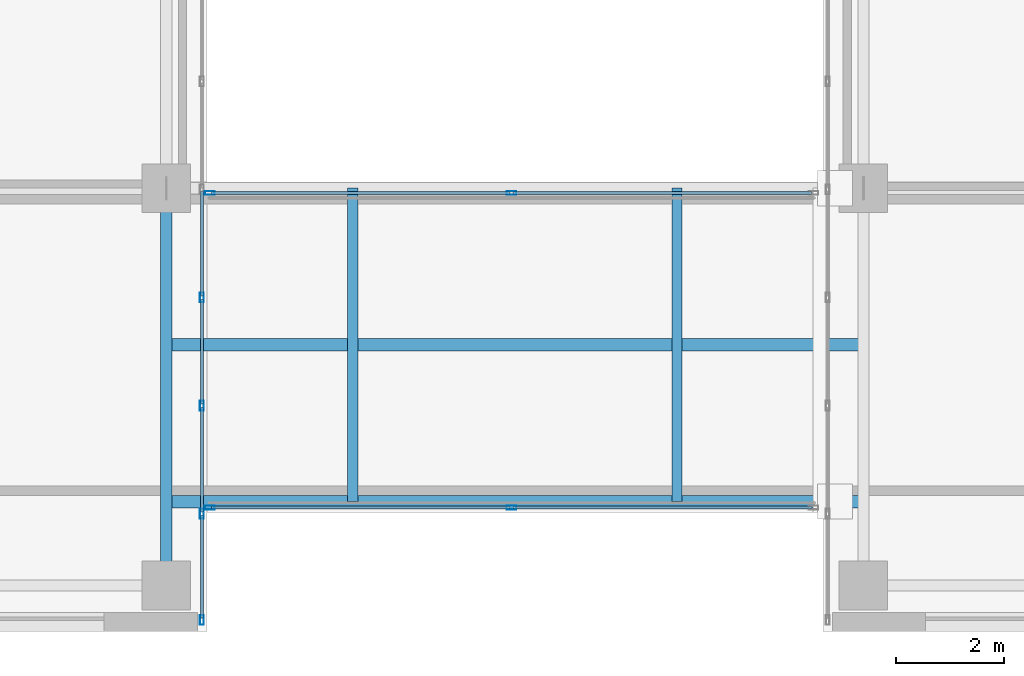
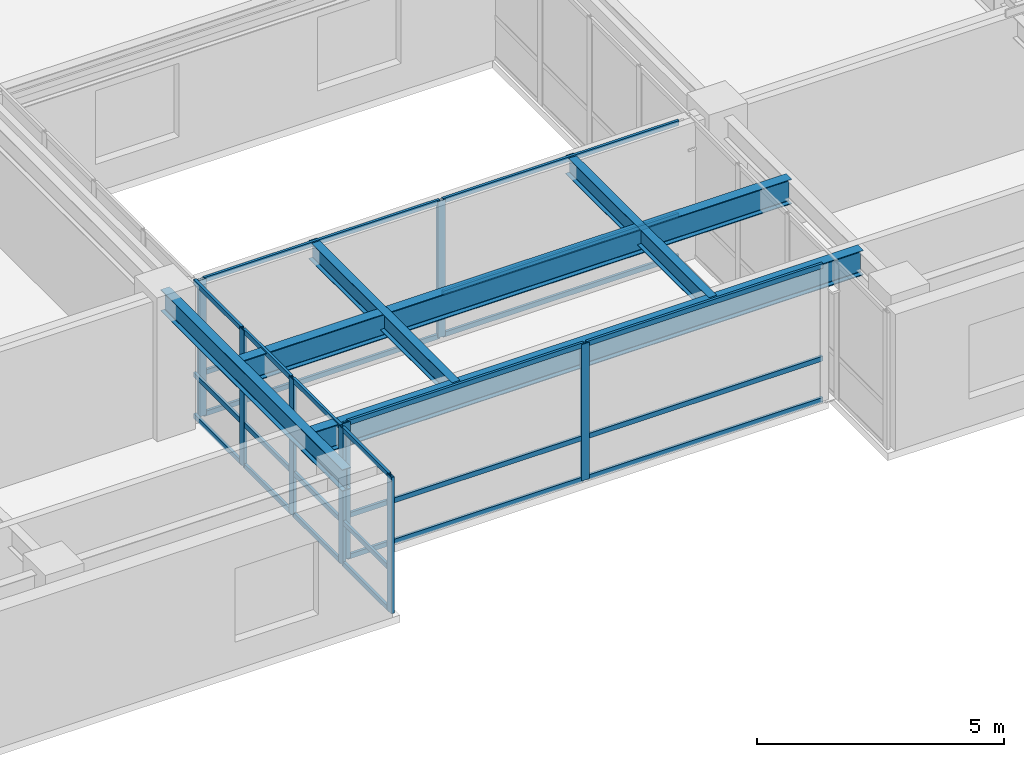
# One storey, part 2 of 25: 32 members, 5 beams, 3 elements without a shape of their own.
"""IFC4 building model written with IfcOpenShell, lengths in metres."""

from ifc_helpers import new_model, si_unit, direction, frame, origin, origin_2d, place, context, subcontext, project, spatial, hollow_rectangle, i_section, extrude, source, transform, mapped, material, layer, layer_set, material_profile, profile_set, type_object, type_shapes, element, aggregate, save


model = new_model("IFC4")

# Units and contexts
model_context = context("Model", 3, precision=1e-05, world=origin(), true_north=direction((0.0, 1.0)))
body_context = subcontext(model_context, "Body", "Model", "MODEL_VIEW")
ifc_project = project(units=[si_unit("LENGTHUNIT", "METRE"), si_unit("AREAUNIT", "SQUARE_METRE"), si_unit("VOLUMEUNIT", "CUBIC_METRE"), si_unit("PLANEANGLEUNIT", "RADIAN"), si_unit("MASSUNIT", "GRAM", prefix="KILO")], contexts=[model_context])

# Site, building, storey
site_placement = place(None, origin())
site = spatial("IfcSite", under=ifc_project, at=site_placement, CompositionType="ELEMENT")
building_placement = place(site_placement, origin())
building = spatial("IfcBuilding", under=site, at=building_placement, Name="Tolvann Quenvar Hotel", CompositionType="ELEMENT")
storey_placement = place(building_placement, frame((0.0, 0.0, 122.199951171875)))
storey = spatial("IfcBuildingStorey", under=building, at=storey_placement, Name="L31", CompositionType="ELEMENT", Elevation=122.199951171875)

# Beams
ifc_material_1 = material(Name="Steel Grade 350", Category="steel")
ifc_material_profile_1 = material_profile(ifc_material_1, i_section(OverallWidth=0.22900390625, OverallDepth=0.612060546875, WebThickness=0.011962890625, FlangeThickness=0.01953125, FilletRadius=0.013916015625, at=origin_2d()), Name="610UB125")
ifc_profile_set_1 = profile_set([ifc_material_profile_1], Name="Steel Grade 350")
beam_type_1 = type_object("IfcBeamType", Name="BM_GIRD_610UB125", PredefinedType="BEAM", material=ifc_profile_set_1)
shared_shape_1 = source(origin(), body_context, "Body", "SweptSolid", [
    extrude(i_section(OverallWidth=0.22900390625, OverallDepth=0.612060546875, WebThickness=0.011962890625, FlangeThickness=0.01953125, FilletRadius=0.013916015625, at=origin_2d()), origin(), (0.0, 0.0, 1.0), 12.89990234375),
])
type_shapes(beam_type_1, [shared_shape_1])
for number, where, z_axis, x_axis, name in (
    (1, (22.050048828125, 2.39990234375, 3.06396484375), (1.0, 0.0, 0.0), (0.0, 1.0, 0.0), "Skybridge Longitudinal Support Girder (L32-S)"),
    (2, (22.050048828125, 5.300048828125, 3.06396484375), (1.0, 0.0, 0.0), (0.0, 1.0, 0.0), "Skybridge Central Support Girder (L32-M)"),
):
    element("IfcBeam", number, at=place(storey_placement, frame(where, z_axis=z_axis, x_axis=x_axis)), inside=storey, type_object=beam_type_1, Name=name, PredefinedType="BEAM", context=body_context, shape_type="MappedRepresentation", body=[
        mapped(shared_shape_1, transform((0.0, 0.0, 0.0), x_axis=(1.0, 0.0, 0.0), y_axis=(0.0, 1.0, 0.0), z_axis=(0.0, 0.0, 1.0), scale=1.0)),
    ])
ifc_material_profile_2 = material_profile(ifc_material_1, i_section(OverallWidth=0.208984375, OverallDepth=0.532958984375, WebThickness=0.01025390625, FlangeThickness=0.015625, FilletRadius=0.013916015625, at=origin_2d()), Name="530UB92")
ifc_profile_set_2 = profile_set([ifc_material_profile_2], Name="Steel Grade 350")
beam_type_2 = type_object("IfcBeamType", Name="BM_GIRD_530UB92", PredefinedType="BEAM", material=ifc_profile_set_2)
shared_shape_2 = source(origin(), body_context, "Body", "SweptSolid", [
    extrude(i_section(OverallWidth=0.208984375, OverallDepth=0.532958984375, WebThickness=0.01025390625, FlangeThickness=0.015625, FilletRadius=0.013916015625, at=origin_2d()), origin(), (0.0, 0.0, 1.0), 7.349853515625),
])
type_shapes(beam_type_2, [shared_shape_2])
beam_placement = place(storey_placement, frame((22.050048828125, 0.85009765625, 3.103515625), z_axis=(0.0, 1.0, 0.0), x_axis=(-1.0, 0.0, 0.0)))
element("IfcBeam", 3, at=beam_placement, inside=storey, type_object=beam_type_2, Name="BM-L31-NS-E2-E3", PredefinedType="BEAM", context=body_context, shape_type="MappedRepresentation", body=[
    mapped(shared_shape_2, transform((0.0, 0.0, 0.0), x_axis=(1.0, 0.0, 0.0), y_axis=(0.0, 1.0, 0.0), z_axis=(0.0, 0.0, 1.0), scale=1.0)),
])
ifc_material_profile_3 = material_profile(ifc_material_1, i_section(OverallWidth=0.18994140625, OverallDepth=0.4541015625, WebThickness=0.008544921875, FlangeThickness=0.0126953125, FilletRadius=0.011474609375, at=origin_2d()), Name="460UB67")
ifc_profile_set_3 = profile_set([ifc_material_profile_3], Name="Steel Grade 350")
beam_type_3 = type_object("IfcBeamType", Name="BM_JOIST_460UB67", PredefinedType="JOIST", material=ifc_profile_set_3)
shared_shape_3 = source(origin(), body_context, "Body", "SweptSolid", [
    extrude(i_section(OverallWidth=0.18994140625, OverallDepth=0.4541015625, WebThickness=0.008544921875, FlangeThickness=0.0126953125, FilletRadius=0.011474609375, at=origin_2d()), origin(), (0.0, 0.0, 1.0), 5.800048828125),
])
type_shapes(beam_type_3, [shared_shape_3])
for number, where, z_axis, x_axis, name in (
    (4, (25.5, 2.39990234375, 3.14306640625), (0.0, 1.0, 0.0), (-1.0, 0.0, 0.0), "Skybridge Transverse Diaphragm Beam W (L32)"),
    (5, (31.5, 2.39990234375, 3.14306640625), (0.0, 1.0, 0.0), (-1.0, 0.0, 0.0), "Skybridge Transverse Diaphragm Beam E (L32)"),
):
    element("IfcBeam", number, at=place(storey_placement, frame(where, z_axis=z_axis, x_axis=x_axis)), inside=storey, type_object=beam_type_3, Name=name, PredefinedType="JOIST", context=body_context, shape_type="MappedRepresentation", body=[
        mapped(shared_shape_3, transform((0.0, 0.0, 0.0), x_axis=(1.0, 0.0, 0.0), y_axis=(0.0, 1.0, 0.0), z_axis=(0.0, 0.0, 1.0), scale=1.0)),
    ])

# Curtain wall, members
ifc_material_2 = material(Name="Thermally broken anodised architectural aluminium 6063-T6 and laminated low-E glass", Category="aluminium")
ifc_layer = layer(ifc_material_2, 0.179931640625)
ifc_layer_set = layer_set([ifc_layer], Name="Thermally broken anodised architectural aluminium 6063-T6 and laminated low-E glass")
curtain_wall_type = type_object("IfcCurtainWallType", Name="CW_SYS_SLOT_03", PredefinedType="USERDEFINED", material=ifc_layer_set)
curtain_wall_1_placement = place(storey_placement, origin())
curtain_wall_1 = element("IfcCurtainWall", 6, at=curtain_wall_1_placement, inside=storey, type_object=curtain_wall_type, Name="Curtain Wall CW-SLOT-03 (CWR-L31-E05)", ObjectType="UNITISED CURTAIN WALL", PredefinedType="USERDEFINED")
ifc_material_3 = material(Name="Anodised architectural aluminium 6063-T6 framing", Category="aluminium")
ifc_material_profile_4 = material_profile(ifc_material_3, hollow_rectangle(XDim=0.070068359375, YDim=0.179931640625, WallThickness=0.00390625, at=origin_2d()), Name="180x70x4RHS")
ifc_profile_set_4 = profile_set([ifc_material_profile_4], Name="Anodised architectural aluminium 6063-T6 framing")
member_type_1 = type_object("IfcMemberType", Name="CW_MULL_180x70", PredefinedType="MULLION", material=ifc_profile_set_4)
shared_shape_4 = source(origin(), body_context, "Body", "SweptSolid", [
    extrude(hollow_rectangle(XDim=0.070068359375, YDim=0.179931640625, WallThickness=0.00390625, at=origin_2d()), origin(), (0.0, 0.0, 1.0), 3.3701171875),
])
type_shapes(member_type_1, [shared_shape_4])
member_1_placement = place(storey_placement, frame((22.7099609375, 0.2099609375, 0.0), z_axis=(0.0, 0.0, 1.0), x_axis=(-1.0, 0.0, 0.0)))
member_1 = element("IfcMember", 7, at=member_1_placement, type_object=member_type_1, Name="CW-SLOT-03 mullion 1", PredefinedType="MULLION", context=body_context, shape_type="MappedRepresentation", body=[
    mapped(shared_shape_4, transform((0.0, 0.0, 0.0), x_axis=(1.0, 0.0, 0.0), y_axis=(0.0, 1.0, 0.0), z_axis=(0.0, 0.0, 1.0), scale=1.0)),
])
member_2_placement = place(storey_placement, frame((22.7099609375, 2.175048828125, 0.0), z_axis=(0.0, 0.0, 1.0), x_axis=(-1.0, 0.0, 0.0)))
member_2 = element("IfcMember", 8, at=member_2_placement, type_object=member_type_1, Name="CW-SLOT-03 mullion 2", PredefinedType="MULLION", context=body_context, shape_type="MappedRepresentation", body=[
    mapped(shared_shape_4, transform((0.0, 0.0, 0.0), x_axis=(1.0, 0.0, 0.0), y_axis=(0.0, 1.0, 0.0), z_axis=(0.0, 0.0, 1.0), scale=1.0)),
])
member_3_placement = place(storey_placement, frame((22.7099609375, 4.175048828125, 0.0), z_axis=(0.0, 0.0, 1.0), x_axis=(-1.0, 0.0, 0.0)))
member_3 = element("IfcMember", 9, at=member_3_placement, type_object=member_type_1, Name="CW-SLOT-03 mullion 3", PredefinedType="MULLION", context=body_context, shape_type="MappedRepresentation", body=[
    mapped(shared_shape_4, transform((0.0, 0.0, 0.0), x_axis=(1.0, 0.0, 0.0), y_axis=(0.0, 1.0, 0.0), z_axis=(0.0, 0.0, 1.0), scale=1.0)),
])
member_4_placement = place(storey_placement, frame((22.7099609375, 6.175048828125, 0.0), z_axis=(0.0, 0.0, 1.0), x_axis=(-1.0, 0.0, 0.0)))
member_4 = element("IfcMember", 10, at=member_4_placement, type_object=member_type_1, Name="CW-SLOT-03 mullion 4", PredefinedType="MULLION", context=body_context, shape_type="MappedRepresentation", body=[
    mapped(shared_shape_4, transform((0.0, 0.0, 0.0), x_axis=(1.0, 0.0, 0.0), y_axis=(0.0, 1.0, 0.0), z_axis=(0.0, 0.0, 1.0), scale=1.0)),
])

curtain_wall_2_placement = place(storey_placement, origin())
curtain_wall_2 = element("IfcCurtainWall", 11, at=curtain_wall_2_placement, inside=storey, type_object=curtain_wall_type, Name="Curtain Wall CW-SLOT-03 (CWR-BRG-L31-S)", ObjectType="UNITISED CURTAIN WALL", PredefinedType="USERDEFINED")
member_5_placement = place(storey_placement, frame((22.85498046875, 2.2900390625, 0.0), z_axis=(0.0, 0.0, 1.0), x_axis=(0.0, 1.0, 0.0)))
member_5 = element("IfcMember", 12, at=member_5_placement, type_object=member_type_1, Name="CW-SLOT-03 mullion 1", PredefinedType="MULLION", context=body_context, shape_type="MappedRepresentation", body=[
    mapped(shared_shape_4, transform((0.0, 0.0, 0.0), x_axis=(1.0, 0.0, 0.0), y_axis=(0.0, 1.0, 0.0), z_axis=(0.0, 0.0, 1.0), scale=1.0)),
])
member_6_placement = place(storey_placement, frame((28.43994140625, 2.2900390625, 0.0), z_axis=(0.0, 0.0, 1.0), x_axis=(0.0, 1.0, 0.0)))
member_6 = element("IfcMember", 13, at=member_6_placement, type_object=member_type_1, Name="CW-SLOT-03 mullion 2", PredefinedType="MULLION", context=body_context, shape_type="MappedRepresentation", body=[
    mapped(shared_shape_4, transform((0.0, 0.0, 0.0), x_axis=(1.0, 0.0, 0.0), y_axis=(0.0, 1.0, 0.0), z_axis=(0.0, 0.0, 1.0), scale=1.0)),
])

curtain_wall_3_placement = place(storey_placement, origin())
curtain_wall_3 = element("IfcCurtainWall", 14, at=curtain_wall_3_placement, inside=storey, type_object=curtain_wall_type, Name="Curtain Wall CW-SLOT-03 (CWR-BRG-L31-N)", ObjectType="UNITISED CURTAIN WALL", PredefinedType="USERDEFINED")
member_7_placement = place(storey_placement, frame((28.43994140625, 8.110107421875, 0.0), z_axis=(0.0, 0.0, 1.0), x_axis=(0.0, -1.0, 0.0)))
member_7 = element("IfcMember", 15, at=member_7_placement, type_object=member_type_1, Name="CW-SLOT-03 mullion 2", PredefinedType="MULLION", context=body_context, shape_type="MappedRepresentation", body=[
    mapped(shared_shape_4, transform((0.0, 0.0, 0.0), x_axis=(1.0, 0.0, 0.0), y_axis=(0.0, 1.0, 0.0), z_axis=(0.0, 0.0, 1.0), scale=1.0)),
])
member_8_placement = place(storey_placement, frame((22.85498046875, 8.110107421875, 0.0), z_axis=(0.0, 0.0, 1.0), x_axis=(0.0, -1.0, 0.0)))
member_8 = element("IfcMember", 16, at=member_8_placement, type_object=member_type_1, Name="CW-SLOT-03 mullion 3", PredefinedType="MULLION", context=body_context, shape_type="MappedRepresentation", body=[
    mapped(shared_shape_4, transform((0.0, 0.0, 0.0), x_axis=(1.0, 0.0, 0.0), y_axis=(0.0, 1.0, 0.0), z_axis=(0.0, 0.0, 1.0), scale=1.0)),
])

# Member
ifc_material_profile_5 = material_profile(ifc_material_3, hollow_rectangle(XDim=0.06005859375, YDim=0.1201171875, WallThickness=0.00341796875, at=origin_2d()), Name="120x60x3.5RHS")
ifc_profile_set_5 = profile_set([ifc_material_profile_5], Name="Anodised architectural aluminium 6063-T6 framing")
member_type_2 = type_object("IfcMemberType", Name="CW_TRAN_120x60", PredefinedType="USERDEFINED", material=ifc_profile_set_5)
shared_shape_5 = source(origin(), body_context, "Body", "SweptSolid", [
    extrude(hollow_rectangle(XDim=0.06005859375, YDim=0.1201171875, WallThickness=0.00341796875, at=origin_2d()), origin(), (0.0, 0.0, 1.0), 1.894775390625),
])
member_9_placement = place(storey_placement, frame((22.7099609375, 0.2451171875, 0.030029296875), z_axis=(0.0, 1.0, 0.0), x_axis=(-1.0, 0.0, 0.0)))
member_9 = element("IfcMember", 17, at=member_9_placement, type_object=member_type_2, Name="CW-SLOT-03 transom 1.1", ObjectType="TRANSOM", PredefinedType="USERDEFINED", context=body_context, shape_type="MappedRepresentation", body=[
    mapped(shared_shape_5, transform((0.0, 0.0, 0.0), x_axis=(1.0, 0.0, 0.0), y_axis=(0.0, 1.0, 0.0), z_axis=(0.0, 0.0, 1.0), scale=1.0)),
])

member_10_placement = place(storey_placement, frame((22.7099609375, 0.2451171875, 1.050048828125), z_axis=(0.0, 1.0, 0.0), x_axis=(-1.0, 0.0, 0.0)))
member_10 = element("IfcMember", 18, at=member_10_placement, type_object=member_type_2, Name="CW-SLOT-03 transom 1.2", ObjectType="TRANSOM", PredefinedType="USERDEFINED", context=body_context, shape_type="MappedRepresentation", body=[
    mapped(shared_shape_5, transform((0.0, 0.0, 0.0), x_axis=(1.0, 0.0, 0.0), y_axis=(0.0, 1.0, 0.0), z_axis=(0.0, 0.0, 1.0), scale=1.0)),
])

member_11_placement = place(storey_placement, frame((22.7099609375, 0.2451171875, 3.340087890625), z_axis=(0.0, 1.0, 0.0), x_axis=(-1.0, 0.0, 0.0)))
member_11 = element("IfcMember", 19, at=member_11_placement, type_object=member_type_2, Name="CW-SLOT-03 transom 1.3", ObjectType="TRANSOM", PredefinedType="USERDEFINED", context=body_context, shape_type="MappedRepresentation", body=[
    mapped(shared_shape_5, transform((0.0, 0.0, 0.0), x_axis=(1.0, 0.0, 0.0), y_axis=(0.0, 1.0, 0.0), z_axis=(0.0, 0.0, 1.0), scale=1.0)),
])

shared_shape_6 = source(origin(), body_context, "Body", "SweptSolid", [
    extrude(hollow_rectangle(XDim=0.06005859375, YDim=0.1201171875, WallThickness=0.00341796875, at=origin_2d()), origin(), (0.0, 0.0, 1.0), 1.929931640625),
])
member_12_placement = place(storey_placement, frame((22.7099609375, 2.2099609375, 0.030029296875), z_axis=(0.0, 1.0, 0.0), x_axis=(-1.0, 0.0, 0.0)))
member_12 = element("IfcMember", 20, at=member_12_placement, type_object=member_type_2, Name="CW-SLOT-03 transom 2.1", ObjectType="TRANSOM", PredefinedType="USERDEFINED", context=body_context, shape_type="MappedRepresentation", body=[
    mapped(shared_shape_6, transform((0.0, 0.0, 0.0), x_axis=(1.0, 0.0, 0.0), y_axis=(0.0, 1.0, 0.0), z_axis=(0.0, 0.0, 1.0), scale=1.0)),
])

member_13_placement = place(storey_placement, frame((22.7099609375, 2.2099609375, 1.050048828125), z_axis=(0.0, 1.0, 0.0), x_axis=(-1.0, 0.0, 0.0)))
member_13 = element("IfcMember", 21, at=member_13_placement, type_object=member_type_2, Name="CW-SLOT-03 transom 2.2", ObjectType="TRANSOM", PredefinedType="USERDEFINED", context=body_context, shape_type="MappedRepresentation", body=[
    mapped(shared_shape_6, transform((0.0, 0.0, 0.0), x_axis=(1.0, 0.0, 0.0), y_axis=(0.0, 1.0, 0.0), z_axis=(0.0, 0.0, 1.0), scale=1.0)),
])

member_14_placement = place(storey_placement, frame((22.7099609375, 2.2099609375, 3.340087890625), z_axis=(0.0, 1.0, 0.0), x_axis=(-1.0, 0.0, 0.0)))
member_14 = element("IfcMember", 22, at=member_14_placement, type_object=member_type_2, Name="CW-SLOT-03 transom 2.3", ObjectType="TRANSOM", PredefinedType="USERDEFINED", context=body_context, shape_type="MappedRepresentation", body=[
    mapped(shared_shape_6, transform((0.0, 0.0, 0.0), x_axis=(1.0, 0.0, 0.0), y_axis=(0.0, 1.0, 0.0), z_axis=(0.0, 0.0, 1.0), scale=1.0)),
])

member_15_placement = place(storey_placement, frame((22.7099609375, 4.2099609375, 0.030029296875), z_axis=(0.0, 1.0, 0.0), x_axis=(-1.0, 0.0, 0.0)))
member_15 = element("IfcMember", 23, at=member_15_placement, type_object=member_type_2, Name="CW-SLOT-03 transom 3.1", ObjectType="TRANSOM", PredefinedType="USERDEFINED", context=body_context, shape_type="MappedRepresentation", body=[
    mapped(shared_shape_6, transform((0.0, 0.0, 0.0), x_axis=(1.0, 0.0, 0.0), y_axis=(0.0, 1.0, 0.0), z_axis=(0.0, 0.0, 1.0), scale=1.0)),
])

member_16_placement = place(storey_placement, frame((22.7099609375, 4.2099609375, 1.050048828125), z_axis=(0.0, 1.0, 0.0), x_axis=(-1.0, 0.0, 0.0)))
member_16 = element("IfcMember", 24, at=member_16_placement, type_object=member_type_2, Name="CW-SLOT-03 transom 3.2", ObjectType="TRANSOM", PredefinedType="USERDEFINED", context=body_context, shape_type="MappedRepresentation", body=[
    mapped(shared_shape_6, transform((0.0, 0.0, 0.0), x_axis=(1.0, 0.0, 0.0), y_axis=(0.0, 1.0, 0.0), z_axis=(0.0, 0.0, 1.0), scale=1.0)),
])

member_17_placement = place(storey_placement, frame((22.7099609375, 4.2099609375, 3.340087890625), z_axis=(0.0, 1.0, 0.0), x_axis=(-1.0, 0.0, 0.0)))
member_17 = element("IfcMember", 25, at=member_17_placement, type_object=member_type_2, Name="CW-SLOT-03 transom 3.3", ObjectType="TRANSOM", PredefinedType="USERDEFINED", context=body_context, shape_type="MappedRepresentation", body=[
    mapped(shared_shape_6, transform((0.0, 0.0, 0.0), x_axis=(1.0, 0.0, 0.0), y_axis=(0.0, 1.0, 0.0), z_axis=(0.0, 0.0, 1.0), scale=1.0)),
])

member_18_placement = place(storey_placement, frame((22.7099609375, 6.2099609375, 0.030029296875), z_axis=(0.0, 1.0, 0.0), x_axis=(-1.0, 0.0, 0.0)))
member_18 = element("IfcMember", 26, at=member_18_placement, type_object=member_type_2, Name="CW-SLOT-03 transom 4.1", ObjectType="TRANSOM", PredefinedType="USERDEFINED", context=body_context, shape_type="MappedRepresentation", body=[
    mapped(shared_shape_6, transform((0.0, 0.0, 0.0), x_axis=(1.0, 0.0, 0.0), y_axis=(0.0, 1.0, 0.0), z_axis=(0.0, 0.0, 1.0), scale=1.0)),
])

member_19_placement = place(storey_placement, frame((22.7099609375, 6.2099609375, 1.050048828125), z_axis=(0.0, 1.0, 0.0), x_axis=(-1.0, 0.0, 0.0)))
member_19 = element("IfcMember", 27, at=member_19_placement, type_object=member_type_2, Name="CW-SLOT-03 transom 4.2", ObjectType="TRANSOM", PredefinedType="USERDEFINED", context=body_context, shape_type="MappedRepresentation", body=[
    mapped(shared_shape_6, transform((0.0, 0.0, 0.0), x_axis=(1.0, 0.0, 0.0), y_axis=(0.0, 1.0, 0.0), z_axis=(0.0, 0.0, 1.0), scale=1.0)),
])

member_20_placement = place(storey_placement, frame((22.7099609375, 6.2099609375, 3.340087890625), z_axis=(0.0, 1.0, 0.0), x_axis=(-1.0, 0.0, 0.0)))
member_20 = element("IfcMember", 28, at=member_20_placement, type_object=member_type_2, Name="CW-SLOT-03 transom 4.3", ObjectType="TRANSOM", PredefinedType="USERDEFINED", context=body_context, shape_type="MappedRepresentation", body=[
    mapped(shared_shape_6, transform((0.0, 0.0, 0.0), x_axis=(1.0, 0.0, 0.0), y_axis=(0.0, 1.0, 0.0), z_axis=(0.0, 0.0, 1.0), scale=1.0)),
])

aggregate(curtain_wall_1, [member_1, member_2, member_3, member_4, member_9, member_10, member_11, member_12, member_13, member_14, member_15, member_16, member_17, member_18, member_19, member_20])

shared_shape_7 = source(origin(), body_context, "Body", "SweptSolid", [
    extrude(hollow_rectangle(XDim=0.06005859375, YDim=0.1201171875, WallThickness=0.00341796875, at=origin_2d()), origin(), (0.0, 0.0, 1.0), 5.51513671875),
])
member_21_placement = place(storey_placement, frame((22.889892578125, 2.2900390625, 0.030029296875), z_axis=(1.0, 0.0, 0.0), x_axis=(0.0, 1.0, 0.0)))
member_21 = element("IfcMember", 29, at=member_21_placement, type_object=member_type_2, Name="CW-SLOT-03 transom 1.1", ObjectType="TRANSOM", PredefinedType="USERDEFINED", context=body_context, shape_type="MappedRepresentation", body=[
    mapped(shared_shape_7, transform((0.0, 0.0, 0.0), x_axis=(1.0, 0.0, 0.0), y_axis=(0.0, 1.0, 0.0), z_axis=(0.0, 0.0, 1.0), scale=1.0)),
])

member_22_placement = place(storey_placement, frame((22.889892578125, 2.2900390625, 1.050048828125), z_axis=(1.0, 0.0, 0.0), x_axis=(0.0, 1.0, 0.0)))
member_22 = element("IfcMember", 30, at=member_22_placement, type_object=member_type_2, Name="CW-SLOT-03 transom 1.2", ObjectType="TRANSOM", PredefinedType="USERDEFINED", context=body_context, shape_type="MappedRepresentation", body=[
    mapped(shared_shape_7, transform((0.0, 0.0, 0.0), x_axis=(1.0, 0.0, 0.0), y_axis=(0.0, 1.0, 0.0), z_axis=(0.0, 0.0, 1.0), scale=1.0)),
])

member_23_placement = place(storey_placement, frame((22.889892578125, 2.2900390625, 3.340087890625), z_axis=(1.0, 0.0, 0.0), x_axis=(0.0, 1.0, 0.0)))
member_23 = element("IfcMember", 31, at=member_23_placement, type_object=member_type_2, Name="CW-SLOT-03 transom 1.3", ObjectType="TRANSOM", PredefinedType="USERDEFINED", context=body_context, shape_type="MappedRepresentation", body=[
    mapped(shared_shape_7, transform((0.0, 0.0, 0.0), x_axis=(1.0, 0.0, 0.0), y_axis=(0.0, 1.0, 0.0), z_axis=(0.0, 0.0, 1.0), scale=1.0)),
])

member_24_placement = place(storey_placement, frame((28.405029296875, 8.110107421875, 0.030029296875), z_axis=(-1.0, 0.0, 0.0), x_axis=(0.0, -1.0, 0.0)))
member_24 = element("IfcMember", 32, at=member_24_placement, type_object=member_type_2, Name="CW-SLOT-03 transom 2.1", ObjectType="TRANSOM", PredefinedType="USERDEFINED", context=body_context, shape_type="MappedRepresentation", body=[
    mapped(shared_shape_7, transform((0.0, 0.0, 0.0), x_axis=(1.0, 0.0, 0.0), y_axis=(0.0, 1.0, 0.0), z_axis=(0.0, 0.0, 1.0), scale=1.0)),
])

member_25_placement = place(storey_placement, frame((28.405029296875, 8.110107421875, 1.050048828125), z_axis=(-1.0, 0.0, 0.0), x_axis=(0.0, -1.0, 0.0)))
member_25 = element("IfcMember", 33, at=member_25_placement, type_object=member_type_2, Name="CW-SLOT-03 transom 2.2", ObjectType="TRANSOM", PredefinedType="USERDEFINED", context=body_context, shape_type="MappedRepresentation", body=[
    mapped(shared_shape_7, transform((0.0, 0.0, 0.0), x_axis=(1.0, 0.0, 0.0), y_axis=(0.0, 1.0, 0.0), z_axis=(0.0, 0.0, 1.0), scale=1.0)),
])

member_26_placement = place(storey_placement, frame((28.405029296875, 8.110107421875, 3.340087890625), z_axis=(-1.0, 0.0, 0.0), x_axis=(0.0, -1.0, 0.0)))
member_26 = element("IfcMember", 34, at=member_26_placement, type_object=member_type_2, Name="CW-SLOT-03 transom 2.3", ObjectType="TRANSOM", PredefinedType="USERDEFINED", context=body_context, shape_type="MappedRepresentation", body=[
    mapped(shared_shape_7, transform((0.0, 0.0, 0.0), x_axis=(1.0, 0.0, 0.0), y_axis=(0.0, 1.0, 0.0), z_axis=(0.0, 0.0, 1.0), scale=1.0)),
])

shared_shape_8 = source(origin(), body_context, "Body", "SweptSolid", [
    extrude(hollow_rectangle(XDim=0.06005859375, YDim=0.1201171875, WallThickness=0.00341796875, at=origin_2d()), origin(), (0.0, 0.0, 1.0), 5.514892578125),
])
type_shapes(member_type_2, [shared_shape_5, shared_shape_6, shared_shape_7, shared_shape_8])
member_27_placement = place(storey_placement, frame((28.47509765625, 2.2900390625, 0.030029296875), z_axis=(1.0, 0.0, 0.0), x_axis=(0.0, 1.0, 0.0)))
member_27 = element("IfcMember", 35, at=member_27_placement, type_object=member_type_2, Name="CW-SLOT-03 transom 2.1", ObjectType="TRANSOM", PredefinedType="USERDEFINED", context=body_context, shape_type="MappedRepresentation", body=[
    mapped(shared_shape_8, transform((0.0, 0.0, 0.0), x_axis=(1.0, 0.0, 0.0), y_axis=(0.0, 1.0, 0.0), z_axis=(0.0, 0.0, 1.0), scale=1.0)),
])

member_28_placement = place(storey_placement, frame((28.47509765625, 2.2900390625, 1.050048828125), z_axis=(1.0, 0.0, 0.0), x_axis=(0.0, 1.0, 0.0)))
member_28 = element("IfcMember", 36, at=member_28_placement, type_object=member_type_2, Name="CW-SLOT-03 transom 2.2", ObjectType="TRANSOM", PredefinedType="USERDEFINED", context=body_context, shape_type="MappedRepresentation", body=[
    mapped(shared_shape_8, transform((0.0, 0.0, 0.0), x_axis=(1.0, 0.0, 0.0), y_axis=(0.0, 1.0, 0.0), z_axis=(0.0, 0.0, 1.0), scale=1.0)),
])

member_29_placement = place(storey_placement, frame((28.47509765625, 2.2900390625, 3.340087890625), z_axis=(1.0, 0.0, 0.0), x_axis=(0.0, 1.0, 0.0)))
member_29 = element("IfcMember", 37, at=member_29_placement, type_object=member_type_2, Name="CW-SLOT-03 transom 2.3", ObjectType="TRANSOM", PredefinedType="USERDEFINED", context=body_context, shape_type="MappedRepresentation", body=[
    mapped(shared_shape_8, transform((0.0, 0.0, 0.0), x_axis=(1.0, 0.0, 0.0), y_axis=(0.0, 1.0, 0.0), z_axis=(0.0, 0.0, 1.0), scale=1.0)),
])

aggregate(curtain_wall_2, [member_5, member_6, member_21, member_22, member_23, member_27, member_28, member_29])

member_30_placement = place(storey_placement, frame((33.989990234375, 8.110107421875, 0.030029296875), z_axis=(-1.0, 0.0, 0.0), x_axis=(0.0, -1.0, 0.0)))
member_30 = element("IfcMember", 38, at=member_30_placement, type_object=member_type_2, Name="CW-SLOT-03 transom 1.1", ObjectType="TRANSOM", PredefinedType="USERDEFINED", context=body_context, shape_type="MappedRepresentation", body=[
    mapped(shared_shape_8, transform((0.0, 0.0, 0.0), x_axis=(1.0, 0.0, 0.0), y_axis=(0.0, 1.0, 0.0), z_axis=(0.0, 0.0, 1.0), scale=1.0)),
])

member_31_placement = place(storey_placement, frame((33.989990234375, 8.110107421875, 1.050048828125), z_axis=(-1.0, 0.0, 0.0), x_axis=(0.0, -1.0, 0.0)))
member_31 = element("IfcMember", 39, at=member_31_placement, type_object=member_type_2, Name="CW-SLOT-03 transom 1.2", ObjectType="TRANSOM", PredefinedType="USERDEFINED", context=body_context, shape_type="MappedRepresentation", body=[
    mapped(shared_shape_8, transform((0.0, 0.0, 0.0), x_axis=(1.0, 0.0, 0.0), y_axis=(0.0, 1.0, 0.0), z_axis=(0.0, 0.0, 1.0), scale=1.0)),
])

member_32_placement = place(storey_placement, frame((33.989990234375, 8.110107421875, 3.340087890625), z_axis=(-1.0, 0.0, 0.0), x_axis=(0.0, -1.0, 0.0)))
member_32 = element("IfcMember", 40, at=member_32_placement, type_object=member_type_2, Name="CW-SLOT-03 transom 1.3", ObjectType="TRANSOM", PredefinedType="USERDEFINED", context=body_context, shape_type="MappedRepresentation", body=[
    mapped(shared_shape_8, transform((0.0, 0.0, 0.0), x_axis=(1.0, 0.0, 0.0), y_axis=(0.0, 1.0, 0.0), z_axis=(0.0, 0.0, 1.0), scale=1.0)),
])

aggregate(curtain_wall_3, [member_7, member_8, member_30, member_31, member_32, member_24, member_25, member_26])

save(model, "model.ifc")
